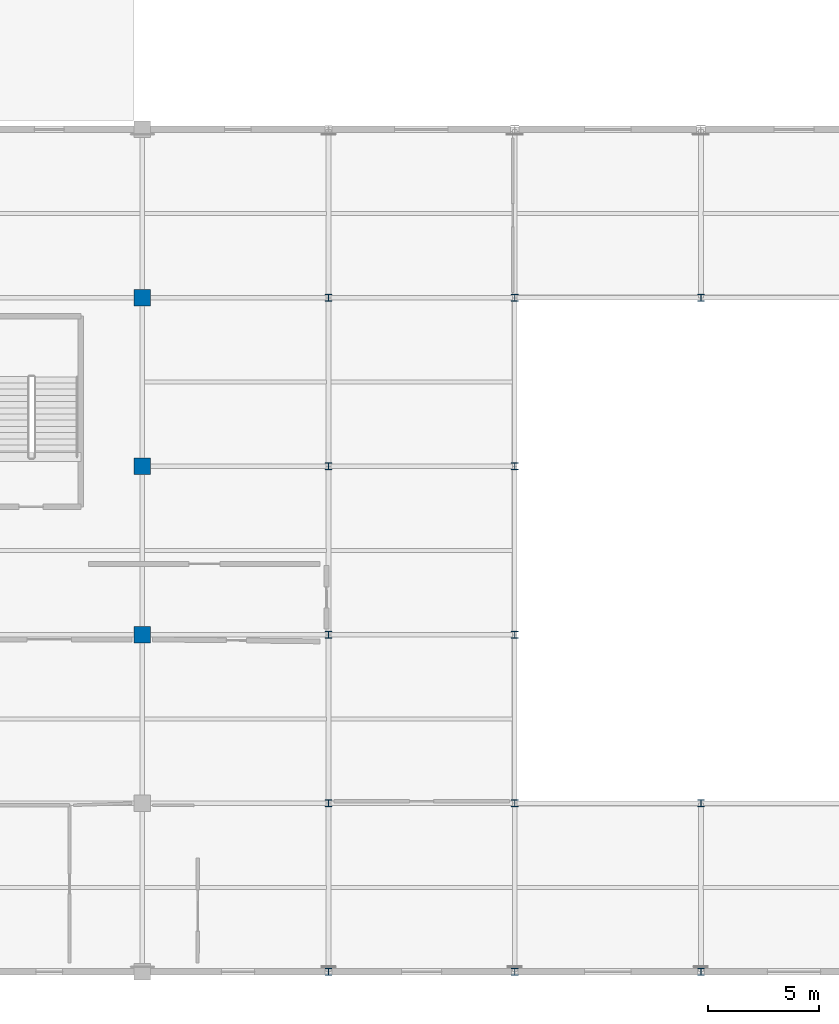
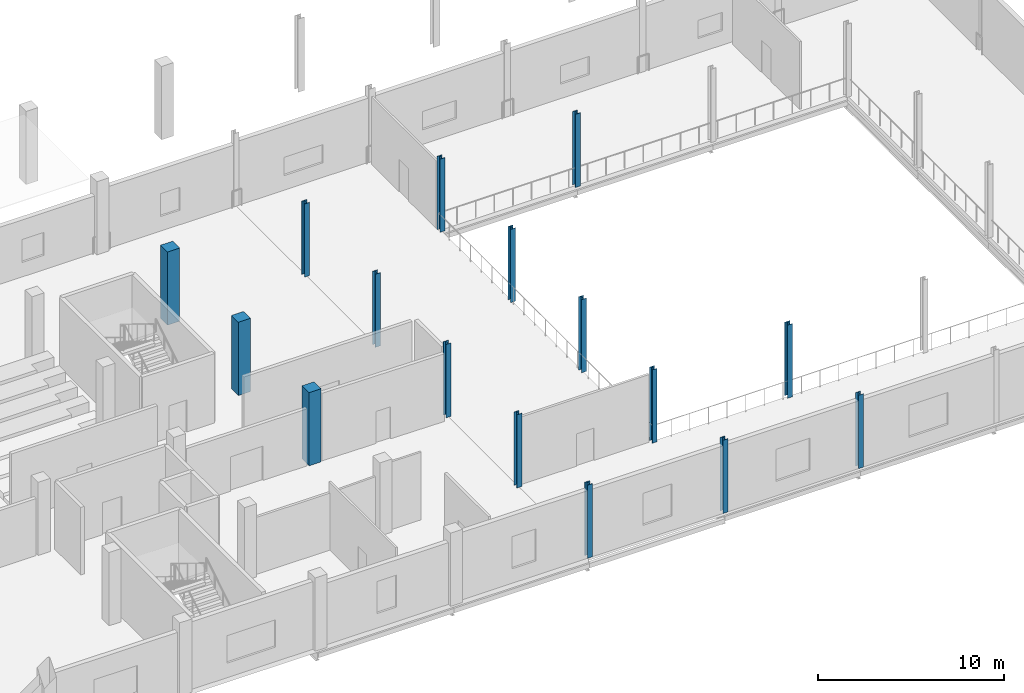
# One storey, part 4 of 51: 16 columns.
"""IFC4 building model written with IfcOpenShell, lengths in metres."""

from ifc_helpers import new_model, si_unit, direction, frame, origin, origin_2d, place, context, subcontext, project, spatial, rectangle, i_section, extrude, material, material_profile, profile_set, type_object, element, save


model = new_model("IFC4")

# Units and contexts
model_context = context("Model", 3, precision=1e-05, world=origin(), true_north=direction((0.0, 1.0)))
body_context = subcontext(model_context, "Body", "Model", "MODEL_VIEW")
ifc_project = project(units=[si_unit("LENGTHUNIT", "METRE"), si_unit("AREAUNIT", "SQUARE_METRE"), si_unit("VOLUMEUNIT", "CUBIC_METRE"), si_unit("PLANEANGLEUNIT", "RADIAN"), si_unit("MASSUNIT", "GRAM", prefix="KILO")], contexts=[model_context])

# Site, building, storey
site_placement = place(None, origin())
site = spatial("IfcSite", under=ifc_project, at=site_placement, CompositionType="ELEMENT")
building_placement = place(site_placement, origin())
building = spatial("IfcBuilding", under=site, at=building_placement, Name="Zuvorla Pavilion Media Centre", CompositionType="ELEMENT")
storey_placement = place(building_placement, frame((0.0, 0.0, 4.800048828125)))
storey = spatial("IfcBuildingStorey", under=building, at=storey_placement, Name="L01", CompositionType="ELEMENT", Elevation=4.800048828125)

# Columns
ifc_material_1 = material(Name="Concrete C40/50", Category="concrete")
ifc_material_profile_1 = material_profile(ifc_material_1, rectangle(XDim=0.75, YDim=0.75, at=origin_2d()), Name="RC 750x750")
ifc_profile_set_1 = profile_set([ifc_material_profile_1], Name="Concrete C40/50")
column_type_1 = type_object("IfcColumnType", Name="COL-RC750", PredefinedType="COLUMN", material=ifc_profile_set_1)
for number, where, z_axis, x_axis, name in (
    (1, (108.800048828125, 21.199951171875, 0.0), (0.0, 0.0, 1.0), (1.0, 0.0, 0.0), "L01 column C02 258"),
    (2, (108.800048828125, 28.800048828125, 0.0), (0.0, 0.0, 1.0), (1.0, 0.0, 0.0), "L01 column C02 353"),
    (3, (108.800048828125, 36.39990234375, 0.0), (0.0, 0.0, 1.0), (1.0, 0.0, 0.0), "L01 column C02 443"),
):
    element("IfcColumn", number, at=place(storey_placement, frame(where, z_axis=z_axis, x_axis=x_axis)), inside=storey, type_object=column_type_1, Name=name, PredefinedType="COLUMN", context=body_context, shape_type="SweptSolid", body=[
        extrude(rectangle(XDim=0.75, YDim=0.75, at=origin_2d()), origin(), (0.0, 0.0, 1.0), 4.800048828125),
    ])
ifc_material_2 = material(Name="Steel S355", Category="steel")
ifc_material_profile_2 = material_profile(ifc_material_2, i_section(OverallWidth=0.30908203125, OverallDepth=0.320556640625, WebThickness=0.013916015625, FlangeThickness=0.021728515625, FilletRadius=0.01513671875, at=origin_2d()), Name="UC 305x305x137")
ifc_profile_set_2 = profile_set([ifc_material_profile_2], Name="Steel S355")
column_type_2 = type_object("IfcColumnType", Name="COL-UC305", PredefinedType="COLUMN", material=ifc_profile_set_2)
for number, where, z_axis, x_axis, name in (
    (4, (117.199951171875, 6.0, 0.0), (0.0, 0.0, 1.0), (1.0, 0.0, 0.0), "L01 column C10 67"),
    (5, (125.60009765625, 6.0, 0.0), (0.0, 0.0, 1.0), (1.0, 0.0, 0.0), "L01 column C10 72"),
    (6, (134.0, 6.0, 0.0), (0.0, 0.0, 1.0), (1.0, 0.0, 0.0), "L01 column C10 77"),
    (7, (117.199951171875, 13.60009765625, 0.0), (0.0, 0.0, 1.0), (1.0, 0.0, 0.0), "L01 column C10 165"),
    (8, (125.60009765625, 13.60009765625, 0.0), (0.0, 0.0, 1.0), (1.0, 0.0, 0.0), "L01 column C10 170"),
    (9, (134.0, 13.60009765625, 0.0), (0.0, 0.0, 1.0), (1.0, 0.0, 0.0), "L01 column C10 175"),
    (10, (117.199951171875, 21.199951171875, 0.0), (0.0, 0.0, 1.0), (1.0, 0.0, 0.0), "L01 column C10 266"),
    (11, (125.60009765625, 21.199951171875, 0.0), (0.0, 0.0, 1.0), (1.0, 0.0, 0.0), "L01 column C10 271"),
    (12, (117.199951171875, 28.800048828125, 0.0), (0.0, 0.0, 1.0), (1.0, 0.0, 0.0), "L01 column C10 361"),
    (13, (125.60009765625, 28.800048828125, 0.0), (0.0, 0.0, 1.0), (1.0, 0.0, 0.0), "L01 column C10 366"),
    (14, (117.199951171875, 36.39990234375, 0.0), (0.0, 0.0, 1.0), (1.0, 0.0, 0.0), "L01 column C10 451"),
    (15, (125.60009765625, 36.39990234375, 0.0), (0.0, 0.0, 1.0), (1.0, 0.0, 0.0), "L01 column C10 456"),
    (16, (134.0, 36.39990234375, 0.0), (0.0, 0.0, 1.0), (1.0, 0.0, 0.0), "L01 column C10 461"),
):
    element("IfcColumn", number, at=place(storey_placement, frame(where, z_axis=z_axis, x_axis=x_axis)), inside=storey, type_object=column_type_2, Name=name, PredefinedType="COLUMN", context=body_context, shape_type="SweptSolid", body=[
        extrude(i_section(OverallWidth=0.30908203125, OverallDepth=0.320556640625, WebThickness=0.013916015625, FlangeThickness=0.021728515625, FilletRadius=0.01513671875, at=origin_2d()), origin(), (0.0, 0.0, 1.0), 4.800048828125),
    ])

save(model, "model.ifc")
